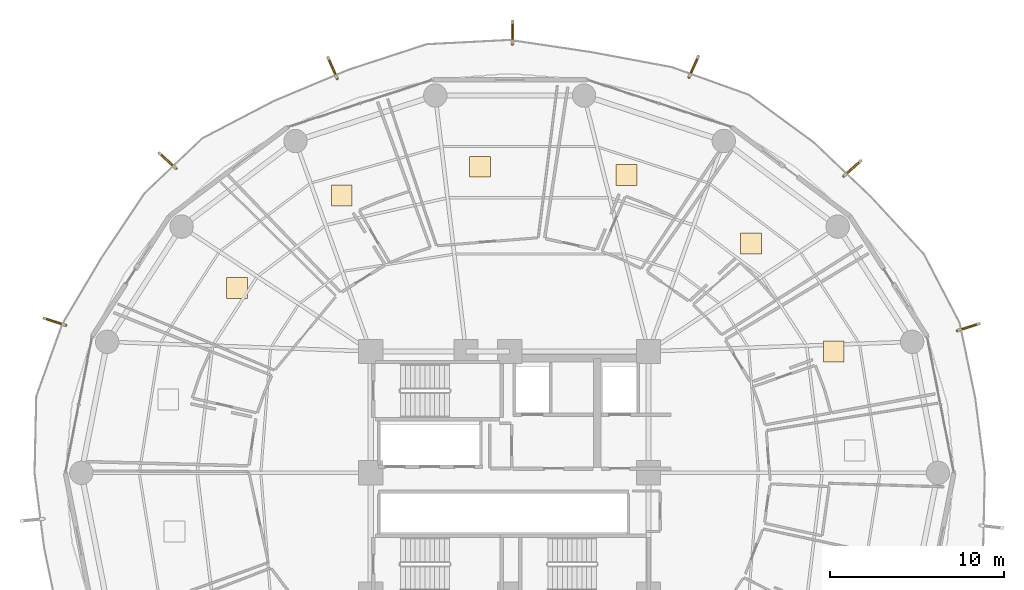
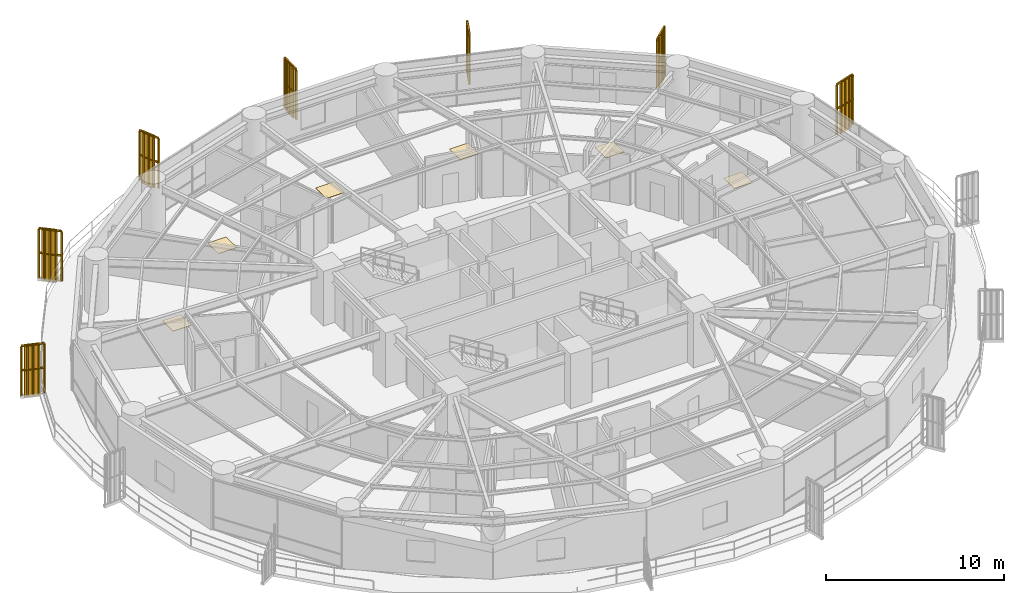
# One storey, part 33 of 33: 7 railings, 7 shading devices, 6 coverings.
"""IFC4 building model written with IfcOpenShell, lengths in metres."""

from ifc_helpers import new_model, si_unit, direction, frame, origin, origin_2d, place, context, subcontext, project, spatial, polyline, rectangle, outline, extrude, source, transform, mapped, material, layer, layer_set, type_object, element, save


model = new_model("IFC4")

# Units and contexts
model_context = context("Model", 3, precision=1e-05, world=origin(), true_north=direction((0.0, 1.0)))
body_context = subcontext(model_context, "Body", "Model", "MODEL_VIEW")
ifc_project = project(units=[si_unit("LENGTHUNIT", "METRE"), si_unit("AREAUNIT", "SQUARE_METRE"), si_unit("VOLUMEUNIT", "CUBIC_METRE"), si_unit("PLANEANGLEUNIT", "RADIAN"), si_unit("MASSUNIT", "GRAM", prefix="KILO")], contexts=[model_context])

# Site, building, storey
site_placement = place(None, origin())
site = spatial("IfcSite", under=ifc_project, at=site_placement, CompositionType="ELEMENT")
building_placement = place(site_placement, origin())
building = spatial("IfcBuilding", under=site, at=building_placement, Name="Kelanora Arch Commons", CompositionType="ELEMENT")
storey_placement = place(building_placement, frame((0.0, 0.0, 83.85009765625)))
storey = spatial("IfcBuildingStorey", under=building, at=storey_placement, Name="L21", CompositionType="ELEMENT", Elevation=83.85009765625)

# Railings
ifc_material_1 = material(Name="Anodised bronze vertical shading fin rib assembly")
railing_type = type_object("IfcRailingType", Name="RAIL-FIN-BRZ", PredefinedType="BALUSTRADE", material=ifc_material_1)
railing_1_placement = place(storey_placement, frame((93.245849609375, 75.09912109375, -0.02001953125)))
element("IfcRailing", 1, at=railing_1_placement, inside=storey, type_object=railing_type, Name="Sweeping Bronze Vertical Fin Blade L21-00", PredefinedType="BALUSTRADE", context=body_context, shape_type="SweptSolid", body=[
    extrude(outline(polyline([(0.06982421875, 0.0), (0.034912109375, 0.060546875), (-0.034912109375, 0.060546875), (-0.06982421875, 0.0), (-0.034912109375, -0.060546875), (0.034912109375, -0.060546875), (0.06982421875, 0.0)])), frame((0.0, 0.0, 3.419921875), z_axis=(0.747511167137, 0.66424924163, 0.0), x_axis=(-0.66424924163, 0.747511167137, 0.0)), (0.0, 0.0, 1.0), 1.322509765625),
    extrude(outline(polyline([(0.06982421875, 0.0), (0.034912109375, 0.060546875), (-0.034912109375, 0.060546875), (-0.06982421875, 0.0), (-0.034912109375, -0.060546875), (0.034912109375, -0.060546875), (0.06982421875, 0.0)])), frame((0.0, 0.0, 1.7451171875), z_axis=(0.747511167137, 0.66424924163, 0.0), x_axis=(-0.66424924163, 0.747511167137, 0.0)), (0.0, 0.0, 1.0), 1.322509765625),
    extrude(outline(polyline([(0.080078125, 0.0), (0.0400390625, 0.0693359375), (-0.0400390625, 0.0693359375), (-0.080078125, 0.0), (-0.0400390625, -0.0693359375), (0.0400390625, -0.0693359375), (0.080078125, 0.0)])), origin(), (0.0, 0.0, 1.0), 3.35009765625),
    extrude(outline(polyline([(0.080078125, 0.0), (0.0400390625, 0.0693359375), (-0.0400390625, 0.0693359375), (-0.080078125, 0.0), (-0.0400390625, -0.0693359375), (0.0400390625, -0.0693359375), (0.080078125, 0.0)])), frame((0.2470703125, 0.2197265625, 0.0)), (0.0, 0.0, 1.0), 3.35009765625),
    extrude(outline(polyline([(0.080078125, 0.0), (0.0400390625, 0.0693359375), (-0.0400390625, 0.0693359375), (-0.080078125, 0.0), (-0.0400390625, -0.0693359375), (0.0400390625, -0.0693359375), (0.080078125, 0.0)])), frame((0.494140625, 0.439208984375, 0.0)), (0.0, 0.0, 1.0), 3.35009765625),
    extrude(outline(polyline([(0.080078125, 0.0), (0.0400390625, 0.0693359375), (-0.0400390625, 0.0693359375), (-0.080078125, 0.0), (-0.0400390625, -0.0693359375), (0.0400390625, -0.0693359375), (0.080078125, 0.0)])), frame((0.741455078125, 0.65869140625, 0.0)), (0.0, 0.0, 1.0), 3.35009765625),
    extrude(outline(polyline([(0.080078125, 0.0), (0.0400390625, 0.0693359375), (-0.0400390625, 0.0693359375), (-0.080078125, 0.0), (-0.0400390625, -0.0693359375), (0.0400390625, -0.0693359375), (0.080078125, 0.0)])), frame((0.988525390625, 0.87841796875, 0.0)), (0.0, 0.0, 1.0), 3.35009765625),
])
railing_2_placement = place(storey_placement, frame((84.330322265625, 80.794189453125, -0.02001953125)))
element("IfcRailing", 2, at=railing_2_placement, inside=storey, type_object=railing_type, Name="Sweeping Bronze Vertical Fin Blade L21-01", PredefinedType="BALUSTRADE", context=body_context, shape_type="SweptSolid", body=[
    extrude(outline(polyline([(0.06982421875, 0.0), (0.034912109375, 0.060546875), (-0.034912109375, 0.060546875), (-0.06982421875, 0.0), (-0.034912109375, -0.060546875), (0.034912109375, -0.060546875), (0.06982421875, 0.0)])), frame((0.0, 0.0, 3.419921875), z_axis=(0.41284286753, 0.91080226544, 0.0), x_axis=(-0.91080226544, 0.41284286753, 0.0)), (0.0, 0.0, 1.0), 1.322265625),
    extrude(outline(polyline([(0.06982421875, 0.0), (0.034912109375, 0.060546875), (-0.034912109375, 0.060546875), (-0.06982421875, 0.0), (-0.034912109375, -0.060546875), (0.034912109375, -0.060546875), (0.06982421875, 0.0)])), frame((0.0, 0.0, 1.7451171875), z_axis=(0.41284286753, 0.91080226544, 0.0), x_axis=(-0.91080226544, 0.41284286753, 0.0)), (0.0, 0.0, 1.0), 1.322265625),
    extrude(outline(polyline([(0.080078125, 0.0), (0.0400390625, 0.0693359375), (-0.0400390625, 0.0693359375), (-0.080078125, 0.0), (-0.0400390625, -0.0693359375), (0.0400390625, -0.0693359375), (0.080078125, 0.0)])), origin(), (0.0, 0.0, 1.0), 3.35009765625),
    extrude(outline(polyline([(0.080078125, 0.0), (0.0400390625, 0.0693359375), (-0.0400390625, 0.0693359375), (-0.080078125, 0.0), (-0.0400390625, -0.0693359375), (0.0400390625, -0.0693359375), (0.080078125, 0.0)])), frame((0.136474609375, 0.301025390625, 0.0)), (0.0, 0.0, 1.0), 3.35009765625),
    extrude(outline(polyline([(0.080078125, 0.0), (0.0400390625, 0.0693359375), (-0.0400390625, 0.0693359375), (-0.080078125, 0.0), (-0.0400390625, -0.0693359375), (0.0400390625, -0.0693359375), (0.080078125, 0.0)])), frame((0.27294921875, 0.60205078125, 0.0)), (0.0, 0.0, 1.0), 3.35009765625),
    extrude(outline(polyline([(0.080078125, 0.0), (0.0400390625, 0.0693359375), (-0.0400390625, 0.0693359375), (-0.080078125, 0.0), (-0.0400390625, -0.0693359375), (0.0400390625, -0.0693359375), (0.080078125, 0.0)])), frame((0.409423828125, 0.9033203125, 0.0)), (0.0, 0.0, 1.0), 3.35009765625),
    extrude(outline(polyline([(0.080078125, 0.0), (0.0400390625, 0.0693359375), (-0.0400390625, 0.0693359375), (-0.080078125, 0.0), (-0.0400390625, -0.0693359375), (0.0400390625, -0.0693359375), (0.080078125, 0.0)])), frame((0.5458984375, 1.204345703125, 0.0)), (0.0, 0.0, 1.0), 3.35009765625),
])
railing_3_placement = place(storey_placement, frame((74.163818359375, 82.70458984375, -0.02001953125)))
element("IfcRailing", 3, at=railing_3_placement, inside=storey, type_object=railing_type, Name="Sweeping Bronze Vertical Fin Blade L21-02", PredefinedType="BALUSTRADE", context=body_context, shape_type="SweptSolid", body=[
    extrude(outline(polyline([(0.06982421875, 0.0), (0.034912109375, 0.060546875), (-0.034912109375, 0.060546875), (-0.06982421875, 0.0), (-0.034912109375, -0.060546875), (0.034912109375, -0.060546875), (0.06982421875, 0.0)])), frame((0.0, 0.0, 3.419921875), z_axis=(0.006645598124, 0.999977917769, 0.0), x_axis=(-0.999977917769, 0.006645598124, 0.0)), (0.0, 0.0, 1.0), 1.322509765625),
    extrude(outline(polyline([(0.06982421875, 0.0), (0.034912109375, 0.060546875), (-0.034912109375, 0.060546875), (-0.06982421875, 0.0), (-0.034912109375, -0.060546875), (0.034912109375, -0.060546875), (0.06982421875, 0.0)])), frame((0.0, 0.0, 1.7451171875), z_axis=(0.006645598124, 0.999977917769, 0.0), x_axis=(-0.999977917769, 0.006645598124, 0.0)), (0.0, 0.0, 1.0), 1.322509765625),
    extrude(outline(polyline([(0.080078125, 0.0), (0.0400390625, 0.0693359375), (-0.0400390625, 0.0693359375), (-0.080078125, 0.0), (-0.0400390625, -0.0693359375), (0.0400390625, -0.0693359375), (0.080078125, 0.0)])), origin(), (0.0, 0.0, 1.0), 3.35009765625),
    extrude(outline(polyline([(0.080078125, 0.0), (0.0400390625, 0.0693359375), (-0.0400390625, 0.0693359375), (-0.080078125, 0.0), (-0.0400390625, -0.0693359375), (0.0400390625, -0.0693359375), (0.080078125, 0.0)])), frame((0.002197265625, 0.33056640625, 0.0)), (0.0, 0.0, 1.0), 3.35009765625),
    extrude(outline(polyline([(0.080078125, 0.0), (0.0400390625, 0.0693359375), (-0.0400390625, 0.0693359375), (-0.080078125, 0.0), (-0.0400390625, -0.0693359375), (0.0400390625, -0.0693359375), (0.080078125, 0.0)])), frame((0.00439453125, 0.6611328125, 0.0)), (0.0, 0.0, 1.0), 3.35009765625),
    extrude(outline(polyline([(0.080078125, 0.0), (0.0400390625, 0.0693359375), (-0.0400390625, 0.0693359375), (-0.080078125, 0.0), (-0.0400390625, -0.0693359375), (0.0400390625, -0.0693359375), (0.080078125, 0.0)])), frame((0.006591796875, 0.991943359375, 0.0)), (0.0, 0.0, 1.0), 3.35009765625),
    extrude(outline(polyline([(0.080078125, 0.0), (0.0400390625, 0.0693359375), (-0.0400390625, 0.0693359375), (-0.080078125, 0.0), (-0.0400390625, -0.0693359375), (0.0400390625, -0.0693359375), (0.080078125, 0.0)])), frame((0.0087890625, 1.322509765625, 0.0)), (0.0, 0.0, 1.0), 3.35009765625),
])
railing_4_placement = place(storey_placement, frame((64.064208984375, 80.720458984375, -0.02001953125)))
element("IfcRailing", 4, at=railing_4_placement, inside=storey, type_object=railing_type, Name="Sweeping Bronze Vertical Fin Blade L21-03", PredefinedType="BALUSTRADE", context=body_context, shape_type="SweptSolid", body=[
    extrude(outline(polyline([(0.06982421875, 0.0), (0.034912109375, 0.060546875), (-0.034912109375, 0.060546875), (-0.06982421875, 0.0), (-0.034912109375, -0.060546875), (0.034912109375, -0.060546875), (0.06982421875, 0.0)])), frame((0.0, 0.0, 3.419921875), z_axis=(-0.400683220289, 0.916216653952, 0.0), x_axis=(-0.916216653952, -0.400683220289, 0.0)), (0.0, 0.0, 1.0), 1.322265625),
    extrude(outline(polyline([(0.06982421875, 0.0), (0.034912109375, 0.060546875), (-0.034912109375, 0.060546875), (-0.06982421875, 0.0), (-0.034912109375, -0.060546875), (0.034912109375, -0.060546875), (0.06982421875, 0.0)])), frame((0.0, 0.0, 1.7451171875), z_axis=(-0.400683220289, 0.916216653952, 0.0), x_axis=(-0.916216653952, -0.400683220289, 0.0)), (0.0, 0.0, 1.0), 1.322265625),
    extrude(outline(polyline([(0.080078125, 0.0), (0.0400390625, 0.0693359375), (-0.0400390625, 0.0693359375), (-0.080078125, 0.0), (-0.0400390625, -0.0693359375), (0.0400390625, -0.0693359375), (0.080078125, 0.0)])), origin(), (0.0, 0.0, 1.0), 3.35009765625),
    extrude(outline(polyline([(0.080078125, 0.0), (0.0400390625, 0.0693359375), (-0.0400390625, 0.0693359375), (-0.080078125, 0.0), (-0.0400390625, -0.0693359375), (0.0400390625, -0.0693359375), (0.080078125, 0.0)])), frame((-0.13232421875, 0.302734375, 0.0)), (0.0, 0.0, 1.0), 3.35009765625),
    extrude(outline(polyline([(0.080078125, 0.0), (0.0400390625, 0.0693359375), (-0.0400390625, 0.0693359375), (-0.080078125, 0.0), (-0.0400390625, -0.0693359375), (0.0400390625, -0.0693359375), (0.080078125, 0.0)])), frame((-0.264892578125, 0.605712890625, 0.0)), (0.0, 0.0, 1.0), 3.35009765625),
    extrude(outline(polyline([(0.080078125, 0.0), (0.0400390625, 0.0693359375), (-0.0400390625, 0.0693359375), (-0.080078125, 0.0), (-0.0400390625, -0.0693359375), (0.0400390625, -0.0693359375), (0.080078125, 0.0)])), frame((-0.3974609375, 0.90869140625, 0.0)), (0.0, 0.0, 1.0), 3.35009765625),
    extrude(outline(polyline([(0.080078125, 0.0), (0.0400390625, 0.0693359375), (-0.0400390625, 0.0693359375), (-0.080078125, 0.0), (-0.0400390625, -0.0693359375), (0.0400390625, -0.0693359375), (0.080078125, 0.0)])), frame((-0.52978515625, 1.21142578125, 0.0)), (0.0, 0.0, 1.0), 3.35009765625),
])
railing_5_placement = place(storey_placement, frame((54.77978515625, 75.5380859375, -0.02001953125)))
element("IfcRailing", 5, at=railing_5_placement, inside=storey, type_object=railing_type, Name="Sweeping Bronze Vertical Fin Blade L21-04", PredefinedType="BALUSTRADE", context=body_context, shape_type="SweptSolid", body=[
    extrude(outline(polyline([(0.06982421875, 0.0), (0.034912109375, 0.060546875), (-0.034912109375, 0.060546875), (-0.06982421875, 0.0), (-0.034912109375, -0.060546875), (0.034912109375, -0.060546875), (0.06982421875, 0.0)])), frame((0.0, 0.0, 3.419921875), z_axis=(-0.738677319868, 0.674059208907, 0.0), x_axis=(-0.674059208907, -0.738677319868, 0.0)), (0.0, 0.0, 1.0), 1.322265625),
    extrude(outline(polyline([(0.06982421875, 0.0), (0.034912109375, 0.060546875), (-0.034912109375, 0.060546875), (-0.06982421875, 0.0), (-0.034912109375, -0.060546875), (0.034912109375, -0.060546875), (0.06982421875, 0.0)])), frame((0.0, 0.0, 1.7451171875), z_axis=(-0.738677319868, 0.674059208907, 0.0), x_axis=(-0.674059208907, -0.738677319868, 0.0)), (0.0, 0.0, 1.0), 1.322265625),
    extrude(outline(polyline([(0.080078125, 0.0), (0.0400390625, 0.0693359375), (-0.0400390625, 0.0693359375), (-0.080078125, 0.0), (-0.0400390625, -0.0693359375), (0.0400390625, -0.0693359375), (0.080078125, 0.0)])), origin(), (0.0, 0.0, 1.0), 3.35009765625),
    extrude(outline(polyline([(0.080078125, 0.0), (0.0400390625, 0.0693359375), (-0.0400390625, 0.0693359375), (-0.080078125, 0.0), (-0.0400390625, -0.0693359375), (0.0400390625, -0.0693359375), (0.080078125, 0.0)])), frame((-0.244140625, 0.222900390625, 0.0)), (0.0, 0.0, 1.0), 3.35009765625),
    extrude(outline(polyline([(0.080078125, 0.0), (0.0400390625, 0.0693359375), (-0.0400390625, 0.0693359375), (-0.080078125, 0.0), (-0.0400390625, -0.0693359375), (0.0400390625, -0.0693359375), (0.080078125, 0.0)])), frame((-0.48828125, 0.44580078125, 0.0)), (0.0, 0.0, 1.0), 3.35009765625),
    extrude(outline(polyline([(0.080078125, 0.0), (0.0400390625, 0.0693359375), (-0.0400390625, 0.0693359375), (-0.080078125, 0.0), (-0.0400390625, -0.0693359375), (0.0400390625, -0.0693359375), (0.080078125, 0.0)])), frame((-0.732666015625, 0.66845703125, 0.0)), (0.0, 0.0, 1.0), 3.35009765625),
    extrude(outline(polyline([(0.080078125, 0.0), (0.0400390625, 0.0693359375), (-0.0400390625, 0.0693359375), (-0.080078125, 0.0), (-0.0400390625, -0.0693359375), (0.0400390625, -0.0693359375), (0.080078125, 0.0)])), frame((-0.976806640625, 0.891357421875, 0.0)), (0.0, 0.0, 1.0), 3.35009765625),
])
railing_6_placement = place(storey_placement, frame((48.425537109375, 66.49755859375, -0.02001953125)))
element("IfcRailing", 6, at=railing_6_placement, inside=storey, type_object=railing_type, Name="Sweeping Bronze Vertical Fin Blade L21-05", PredefinedType="BALUSTRADE", context=body_context, shape_type="SweptSolid", body=[
    extrude(outline(polyline([(0.06982421875, 0.0), (0.034912109375, 0.060546875), (-0.034912109375, 0.060546875), (-0.06982421875, 0.0), (-0.034912109375, -0.060546875), (0.034912109375, -0.060546875), (0.06982421875, 0.0)])), frame((0.0, 0.0, 3.419921875), z_axis=(-0.94897828593, 0.31534142264, 0.0), x_axis=(-0.31534142264, -0.94897828593, 0.0)), (0.0, 0.0, 1.0), 1.322265625),
    extrude(outline(polyline([(0.06982421875, 0.0), (0.034912109375, 0.060546875), (-0.034912109375, 0.060546875), (-0.06982421875, 0.0), (-0.034912109375, -0.060546875), (0.034912109375, -0.060546875), (0.06982421875, 0.0)])), frame((0.0, 0.0, 1.7451171875), z_axis=(-0.94897828593, 0.31534142264, 0.0), x_axis=(-0.31534142264, -0.94897828593, 0.0)), (0.0, 0.0, 1.0), 1.322265625),
    extrude(outline(polyline([(0.080078125, 0.0), (0.0400390625, 0.0693359375), (-0.0400390625, 0.0693359375), (-0.080078125, 0.0), (-0.0400390625, -0.0693359375), (0.0400390625, -0.0693359375), (0.080078125, 0.0)])), origin(), (0.0, 0.0, 1.0), 3.35009765625),
    extrude(outline(polyline([(0.080078125, 0.0), (0.0400390625, 0.0693359375), (-0.0400390625, 0.0693359375), (-0.080078125, 0.0), (-0.0400390625, -0.0693359375), (0.0400390625, -0.0693359375), (0.080078125, 0.0)])), frame((-0.313720703125, 0.104248046875, 0.0)), (0.0, 0.0, 1.0), 3.35009765625),
    extrude(outline(polyline([(0.080078125, 0.0), (0.0400390625, 0.0693359375), (-0.0400390625, 0.0693359375), (-0.080078125, 0.0), (-0.0400390625, -0.0693359375), (0.0400390625, -0.0693359375), (0.080078125, 0.0)])), frame((-0.62744140625, 0.20849609375, 0.0)), (0.0, 0.0, 1.0), 3.35009765625),
    extrude(outline(polyline([(0.080078125, 0.0), (0.0400390625, 0.0693359375), (-0.0400390625, 0.0693359375), (-0.080078125, 0.0), (-0.0400390625, -0.0693359375), (0.0400390625, -0.0693359375), (0.080078125, 0.0)])), frame((-0.941162109375, 0.312744140625, 0.0)), (0.0, 0.0, 1.0), 3.35009765625),
    extrude(outline(polyline([(0.080078125, 0.0), (0.0400390625, 0.0693359375), (-0.0400390625, 0.0693359375), (-0.080078125, 0.0), (-0.0400390625, -0.0693359375), (0.0400390625, -0.0693359375), (0.080078125, 0.0)])), frame((-1.2548828125, 0.4169921875, 0.0)), (0.0, 0.0, 1.0), 3.35009765625),
])
railing_7_placement = place(storey_placement, frame((99.79833984375, 66.193603515625, -0.02001953125)))
element("IfcRailing", 7, at=railing_7_placement, inside=storey, type_object=railing_type, Name="Sweeping Bronze Vertical Fin Blade L21-14", PredefinedType="BALUSTRADE", context=body_context, shape_type="SweptSolid", body=[
    extrude(outline(polyline([(0.06982421875, 0.0), (0.034912109375, 0.060546875), (-0.034912109375, 0.060546875), (-0.06982421875, 0.0), (-0.034912109375, -0.060546875), (0.034912109375, -0.060546875), (0.06982421875, 0.0)])), frame((0.0, 0.0, 3.419921875), z_axis=(0.953056629034, 0.30279210996, 0.0), x_axis=(-0.30279210996, 0.953056629034, 0.0)), (0.0, 0.0, 1.0), 1.322265625),
    extrude(outline(polyline([(0.06982421875, 0.0), (0.034912109375, 0.060546875), (-0.034912109375, 0.060546875), (-0.06982421875, 0.0), (-0.034912109375, -0.060546875), (0.034912109375, -0.060546875), (0.06982421875, 0.0)])), frame((0.0, 0.0, 1.7451171875), z_axis=(0.953056629034, 0.30279210996, 0.0), x_axis=(-0.30279210996, 0.953056629034, 0.0)), (0.0, 0.0, 1.0), 1.322265625),
    extrude(outline(polyline([(0.080078125, 0.0), (0.0400390625, 0.0693359375), (-0.0400390625, 0.0693359375), (-0.080078125, 0.0), (-0.0400390625, -0.0693359375), (0.0400390625, -0.0693359375), (0.080078125, 0.0)])), origin(), (0.0, 0.0, 1.0), 3.35009765625),
    extrude(outline(polyline([(0.080078125, 0.0), (0.0400390625, 0.0693359375), (-0.0400390625, 0.0693359375), (-0.080078125, 0.0), (-0.0400390625, -0.0693359375), (0.0400390625, -0.0693359375), (0.080078125, 0.0)])), frame((0.31494140625, 0.10009765625, 0.0)), (0.0, 0.0, 1.0), 3.35009765625),
    extrude(outline(polyline([(0.080078125, 0.0), (0.0400390625, 0.0693359375), (-0.0400390625, 0.0693359375), (-0.080078125, 0.0), (-0.0400390625, -0.0693359375), (0.0400390625, -0.0693359375), (0.080078125, 0.0)])), frame((0.630126953125, 0.2001953125, 0.0)), (0.0, 0.0, 1.0), 3.35009765625),
    extrude(outline(polyline([(0.080078125, 0.0), (0.0400390625, 0.0693359375), (-0.0400390625, 0.0693359375), (-0.080078125, 0.0), (-0.0400390625, -0.0693359375), (0.0400390625, -0.0693359375), (0.080078125, 0.0)])), frame((0.9453125, 0.30029296875, 0.0)), (0.0, 0.0, 1.0), 3.35009765625),
    extrude(outline(polyline([(0.080078125, 0.0), (0.0400390625, 0.0693359375), (-0.0400390625, 0.0693359375), (-0.080078125, 0.0), (-0.0400390625, -0.0693359375), (0.0400390625, -0.0693359375), (0.080078125, 0.0)])), frame((1.26025390625, 0.400390625, 0.0)), (0.0, 0.0, 1.0), 3.35009765625),
])

# Shading devices
ifc_material_2 = material(Name="Terracotta ceramic-clad extruded aluminium fin", Category="masonry")
shading_device_type = type_object("IfcShadingDeviceType", Name="SHD-FIN-FLARE", PredefinedType="USERDEFINED", material=ifc_material_2)
shared_shape_1 = source(origin(), body_context, "Body", "SweptSolid", [
    extrude(rectangle(XDim=0.8798828125, YDim=0.090087890625, at=origin_2d()), origin(), (0.0, 0.0, 1.0), 3.610107421875),
])
for number, where, z_axis, x_axis, name in (
    (8, (93.783935546875, 75.577392578125, -0.14013671875), (0.0, 0.0, 1.0), (0.747566290977, 0.664187202975, 0.0), "Sweeping Terracotta Fin L21-00"),
    (9, (84.62744140625, 81.449951171875, -0.14013671875), (0.0, 0.0, 1.0), (0.412786516097, 0.91082780597, 0.0), "Sweeping Terracotta Fin L21-01"),
    (10, (74.168701171875, 83.4248046875, -0.14013671875), (0.0, 0.0, 1.0), (0.006632202536, 0.999978006703, 0.0), "Sweeping Terracotta Fin L21-02"),
    (11, (63.77587890625, 81.380126953125, -0.14013671875), (0.0, 0.0, 1.0), (-0.400668879095, 0.916222925562, 0.0), "Sweeping Terracotta Fin L21-03"),
    (12, (54.247802734375, 76.023681640625, -0.14013671875), (0.0, 0.0, 1.0), (-0.738690671568, 0.674044576967, 0.0), "Sweeping Terracotta Fin L21-04"),
    (13, (47.7421875, 66.724609375, -0.14013671875), (0.0, 0.0, 1.0), (-0.948986136133, 0.315317797511, 0.0), "Sweeping Terracotta Fin L21-05"),
    (14, (100.484619140625, 66.41162109375, -0.14013671875), (0.0, 0.0, 1.0), (0.95308506272, 0.302702598633, 0.0), "Sweeping Terracotta Fin L21-14"),
):
    element("IfcShadingDevice", number, at=place(storey_placement, frame(where, z_axis=z_axis, x_axis=x_axis)), inside=storey, type_object=shading_device_type, Name=name, ObjectType="FIN", PredefinedType="USERDEFINED", context=body_context, shape_type="MappedRepresentation", body=[
        mapped(shared_shape_1, transform((0.0, 0.0, 0.0), scale=1.0)),
    ])

# Coverings
ifc_material_3 = material(Name="Polished local granite terrazzo flooring", Category="masonry")
ifc_layer = layer(ifc_material_3, 0.030029296875)
ifc_layer_set = layer_set([ifc_layer], Name="Polished local granite terrazzo flooring")
covering_type = type_object("IfcCoveringType", Name="COV-FLR-TER", PredefinedType="FLOORING", material=ifc_layer_set)
shared_shape_2 = source(origin(), body_context, "Body", "SweptSolid", [
    extrude(rectangle(XDim=1.199951171875, YDim=1.199951171875, at=origin_2d()), origin(), (0.0, 0.0, 1.0), 0.030029296875),
])
for number, where, z_axis, x_axis, name in (
    (15, (92.67578125, 64.986572265625, 0.0), (0.0, 0.0, 1.0), (1.0, 0.0, 0.0), "Co-Living Studio L21-01 Terrazzo Finish"),
    (16, (87.904296875, 71.218017578125, 0.0), (0.0, 0.0, 1.0), (1.0, 0.0, 0.0), "Co-Living Studio L21-02 Terrazzo Finish"),
    (17, (80.728759765625, 75.163818359375, 0.0), (0.0, 0.0, 1.0), (1.0, 0.0, 0.0), "Co-Living Studio L21-03 Terrazzo Finish"),
    (18, (72.285888671875, 75.637451171875, 0.0), (0.0, 0.0, 1.0), (1.0, 0.0, 0.0), "Communal Dining and Social Hall L21-04 Terrazzo Finish"),
    (19, (64.3291015625, 73.983154296875, 0.0), (0.0, 0.0, 1.0), (1.0, 0.0, 0.0), "Co-Living Studio L21-05 Terrazzo Finish"),
    (20, (58.2939453125, 68.6552734375, 0.0), (0.0, 0.0, 1.0), (1.0, 0.0, 0.0), "Social Sky Lounge L21-06 Terrazzo Finish"),
):
    element("IfcCovering", number, at=place(storey_placement, frame(where, z_axis=z_axis, x_axis=x_axis)), inside=storey, type_object=covering_type, Name=name, PredefinedType="FLOORING", context=body_context, shape_type="MappedRepresentation", body=[
        mapped(shared_shape_2, transform((0.0, 0.0, 0.0), scale=1.0)),
    ])

save(model, "model.ifc")
